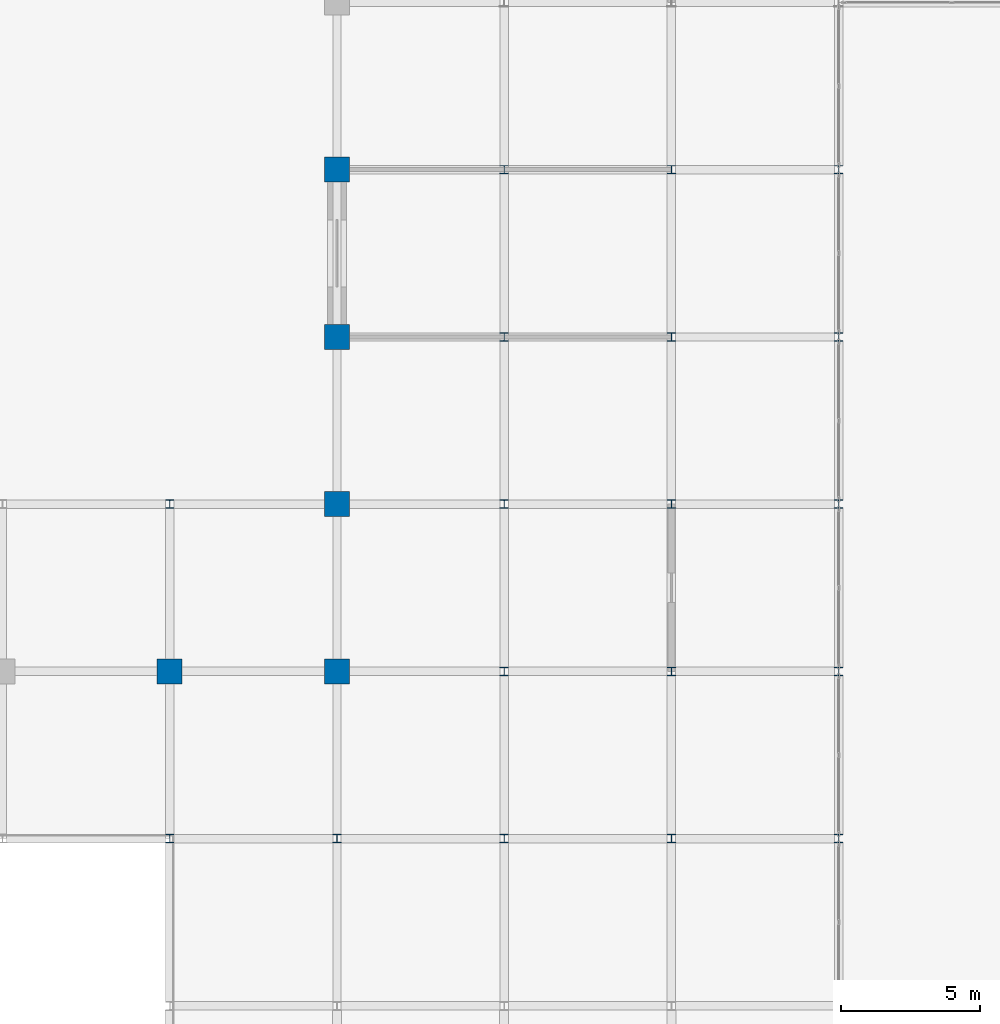
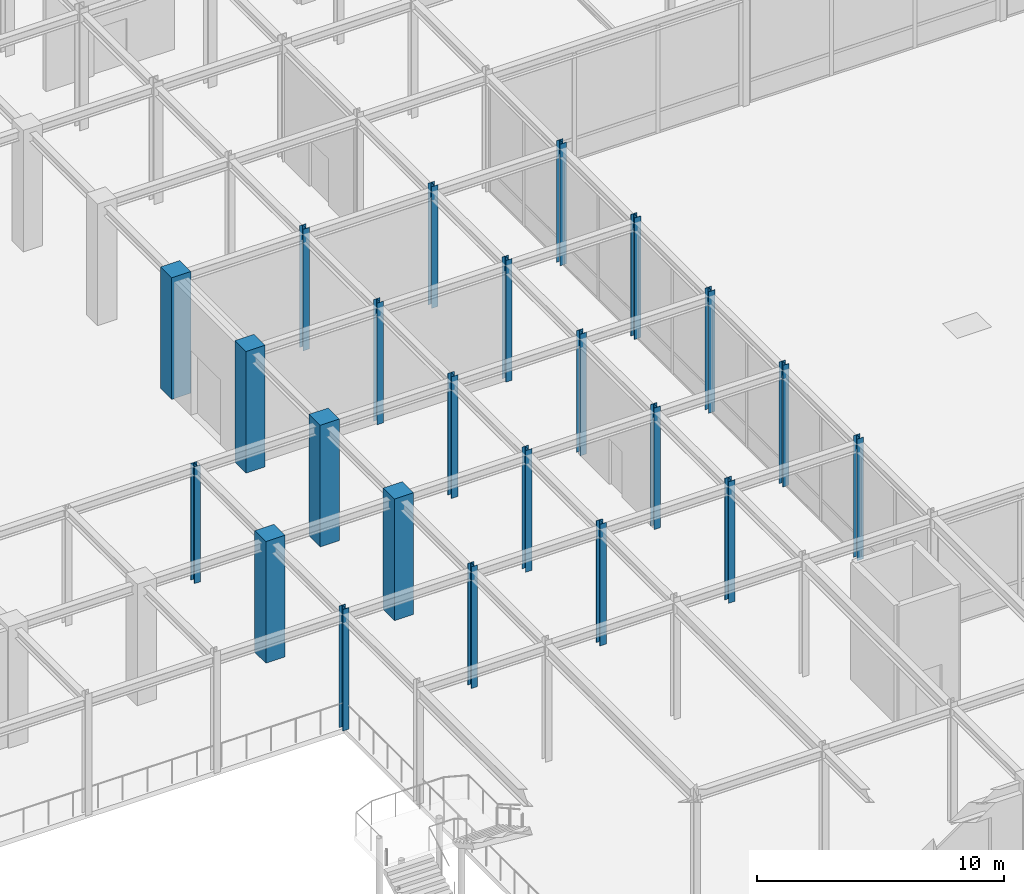
# One storey, part 12 of 108: 23 columns.
"""IFC4 building model written with IfcOpenShell, lengths in metres."""

from ifc_helpers import new_model, si_unit, direction, frame, origin, origin_2d, place, context, subcontext, project, spatial, rectangle, i_section, extrude, material, material_profile, profile_set, type_object, element, save


model = new_model("IFC4")

# Units and contexts
model_context = context("Model", 3, precision=1e-05, world=origin(), true_north=direction((0.0, 1.0)))
body_context = subcontext(model_context, "Body", "Model", "MODEL_VIEW")
ifc_project = project(units=[si_unit("LENGTHUNIT", "METRE"), si_unit("AREAUNIT", "SQUARE_METRE"), si_unit("VOLUMEUNIT", "CUBIC_METRE"), si_unit("PLANEANGLEUNIT", "RADIAN"), si_unit("MASSUNIT", "GRAM", prefix="KILO")], contexts=[model_context])

# Site, building, storey
site_placement = place(None, origin())
site = spatial("IfcSite", under=ifc_project, at=site_placement, CompositionType="ELEMENT")
building_placement = place(site_placement, origin())
building = spatial("IfcBuilding", under=site, at=building_placement, Name="Zlatovratsky Civic Hall", CompositionType="ELEMENT")
storey_placement = place(building_placement, frame((0.0, 0.0, 6.0)))
storey = spatial("IfcBuildingStorey", under=building, at=storey_placement, Name="L02", CompositionType="ELEMENT", Elevation=6.0)

# Columns
ifc_material_1 = material(Name="Concrete C35/45 (B40)", Category="concrete")
ifc_material_profile_1 = material_profile(ifc_material_1, rectangle(XDim=0.89990234375, YDim=0.89990234375, at=origin_2d()), Name="RC 900x900")
ifc_profile_set_1 = profile_set([ifc_material_profile_1], Name="Concrete C35/45 (B40)")
column_type_1 = type_object("IfcColumnType", Name="Col_ChamberPier_RC900", PredefinedType="COLUMN", material=ifc_profile_set_1)
for number, where, z_axis, x_axis, name in (
    (1, (96.0, 42.0, 0.0), (0.0, 0.0, 1.0), (1.0, 0.0, 0.0), "CL-0932"),
    (2, (102.0, 42.0, 0.0), (0.0, 0.0, 1.0), (1.0, 0.0, 0.0), "CL-0933"),
    (3, (102.0, 48.0, 0.0), (0.0, 0.0, 1.0), (1.0, 0.0, 0.0), "CL-0952"),
    (4, (102.0, 54.0, 0.0), (0.0, 0.0, 1.0), (1.0, 0.0, 0.0), "CL-0966"),
    (5, (102.0, 60.0, 0.0), (0.0, 0.0, 1.0), (1.0, 0.0, 0.0), "CL-0980"),
):
    element("IfcColumn", number, at=place(storey_placement, frame(where, z_axis=z_axis, x_axis=x_axis)), inside=storey, type_object=column_type_1, Name=name, PredefinedType="COLUMN", context=body_context, shape_type="SweptSolid", body=[
        extrude(rectangle(XDim=0.89990234375, YDim=0.89990234375, at=origin_2d()), origin(), (0.0, 0.0, 1.0), 6.0),
    ])
ifc_material_2 = material(Name="Steel S355", Category="steel")
ifc_material_profile_2 = material_profile(ifc_material_2, i_section(OverallWidth=0.300048828125, OverallDepth=0.300048828125, WebThickness=0.010009765625, FlangeThickness=0.014892578125, FilletRadius=0.01806640625, at=origin_2d()), Name="30K2")
ifc_profile_set_2 = profile_set([ifc_material_profile_2], Name="Steel S355")
column_type_2 = type_object("IfcColumnType", Name="Col_Steel_30K2", PredefinedType="COLUMN", material=ifc_profile_set_2)
for number, where, z_axis, x_axis, name in (
    (6, (96.0, 36.0, 0.0), (0.0, 0.0, 1.0), (1.0, 0.0, 0.0), "CL-0913"),
    (7, (102.0, 36.0, 0.0), (0.0, 0.0, 1.0), (1.0, 0.0, 0.0), "CL-0914"),
    (8, (108.0, 36.0, 0.0), (0.0, 0.0, 1.0), (1.0, 0.0, 0.0), "CL-0915"),
    (9, (114.0, 36.0, 0.0), (0.0, 0.0, 1.0), (1.0, 0.0, 0.0), "CL-0916"),
    (10, (120.0, 36.0, 0.0), (0.0, 0.0, 1.0), (1.0, 0.0, 0.0), "CL-0917"),
    (11, (108.0, 42.0, 0.0), (0.0, 0.0, 1.0), (1.0, 0.0, 0.0), "CL-0934"),
    (12, (114.0, 42.0, 0.0), (0.0, 0.0, 1.0), (1.0, 0.0, 0.0), "CL-0935"),
    (13, (120.0, 42.0, 0.0), (0.0, 0.0, 1.0), (1.0, 0.0, 0.0), "CL-0936"),
):
    element("IfcColumn", number, at=place(storey_placement, frame(where, z_axis=z_axis, x_axis=x_axis)), inside=storey, type_object=column_type_2, Name=name, PredefinedType="COLUMN", context=body_context, shape_type="SweptSolid", body=[
        extrude(i_section(OverallWidth=0.300048828125, OverallDepth=0.300048828125, WebThickness=0.010009765625, FlangeThickness=0.014892578125, FilletRadius=0.01806640625, at=origin_2d()), origin(), (0.0, 0.0, 1.0), 6.0),
    ])
column_placement = place(storey_placement, frame((96.0, 48.0, 0.0), z_axis=(0.0, 0.0, 1.0), x_axis=(1.0, 0.0, 0.0)))
element("IfcColumn", 14, at=column_placement, inside=storey, type_object=column_type_2, Name="CL-0951", PredefinedType="COLUMN", context=body_context, shape_type="SweptSolid", body=[
    extrude(i_section(OverallWidth=0.300048828125, OverallDepth=0.300048828125, WebThickness=0.010009765625, FlangeThickness=0.014892578125, FilletRadius=0.01806640625, at=origin_2d()), origin(), (0.0, 0.0, 1.0), 5.760009765625),
])
for number, where, z_axis, x_axis, name in (
    (15, (108.0, 48.0, 0.0), (0.0, 0.0, 1.0), (1.0, 0.0, 0.0), "CL-0953"),
    (16, (114.0, 48.0, 0.0), (0.0, 0.0, 1.0), (1.0, 0.0, 0.0), "CL-0954"),
    (17, (120.0, 48.0, 0.0), (0.0, 0.0, 1.0), (1.0, 0.0, 0.0), "CL-0955"),
    (18, (108.0, 54.0, 0.0), (0.0, 0.0, 1.0), (1.0, 0.0, 0.0), "CL-0967"),
    (19, (114.0, 54.0, 0.0), (0.0, 0.0, 1.0), (1.0, 0.0, 0.0), "CL-0968"),
    (20, (120.0, 54.0, 0.0), (0.0, 0.0, 1.0), (1.0, 0.0, 0.0), "CL-0969"),
    (21, (108.0, 60.0, 0.0), (0.0, 0.0, 1.0), (1.0, 0.0, 0.0), "CL-0981"),
    (22, (114.0, 60.0, 0.0), (0.0, 0.0, 1.0), (1.0, 0.0, 0.0), "CL-0982"),
    (23, (120.0, 60.0, 0.0), (0.0, 0.0, 1.0), (1.0, 0.0, 0.0), "CL-0983"),
):
    element("IfcColumn", number, at=place(storey_placement, frame(where, z_axis=z_axis, x_axis=x_axis)), inside=storey, type_object=column_type_2, Name=name, PredefinedType="COLUMN", context=body_context, shape_type="SweptSolid", body=[
        extrude(i_section(OverallWidth=0.300048828125, OverallDepth=0.300048828125, WebThickness=0.010009765625, FlangeThickness=0.014892578125, FilletRadius=0.01806640625, at=origin_2d()), origin(), (0.0, 0.0, 1.0), 6.0),
    ])

save(model, "model.ifc")
